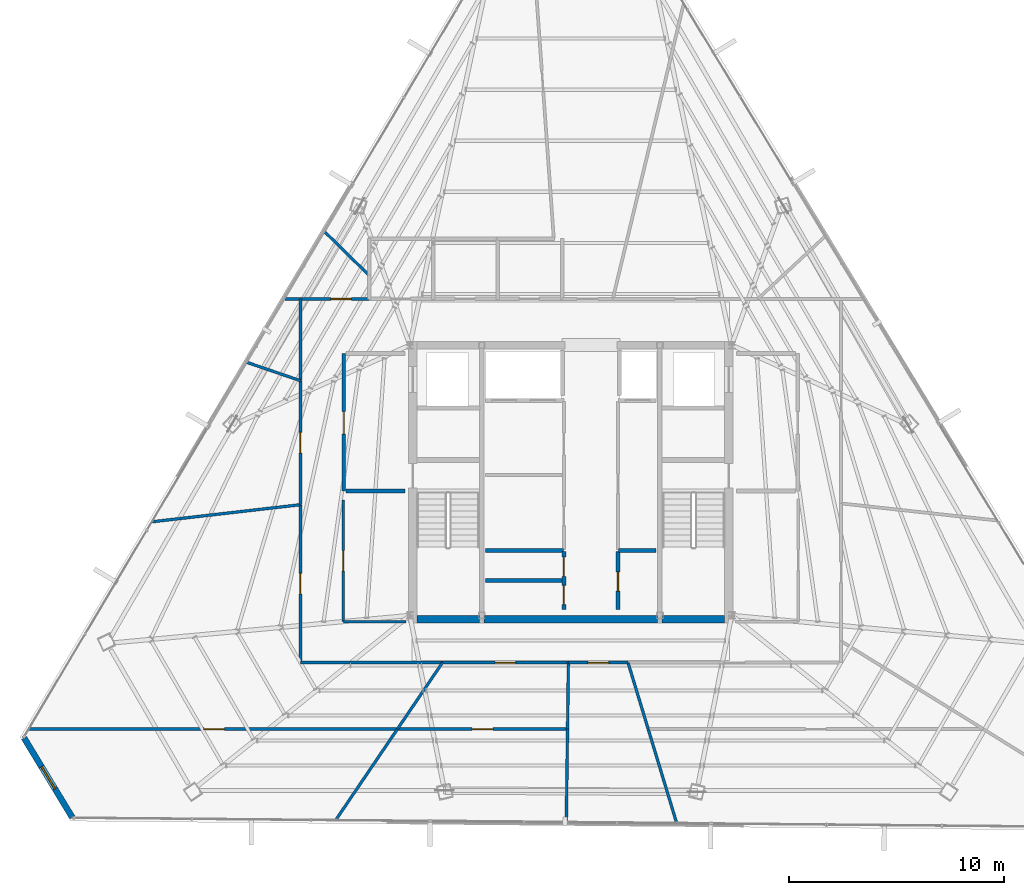
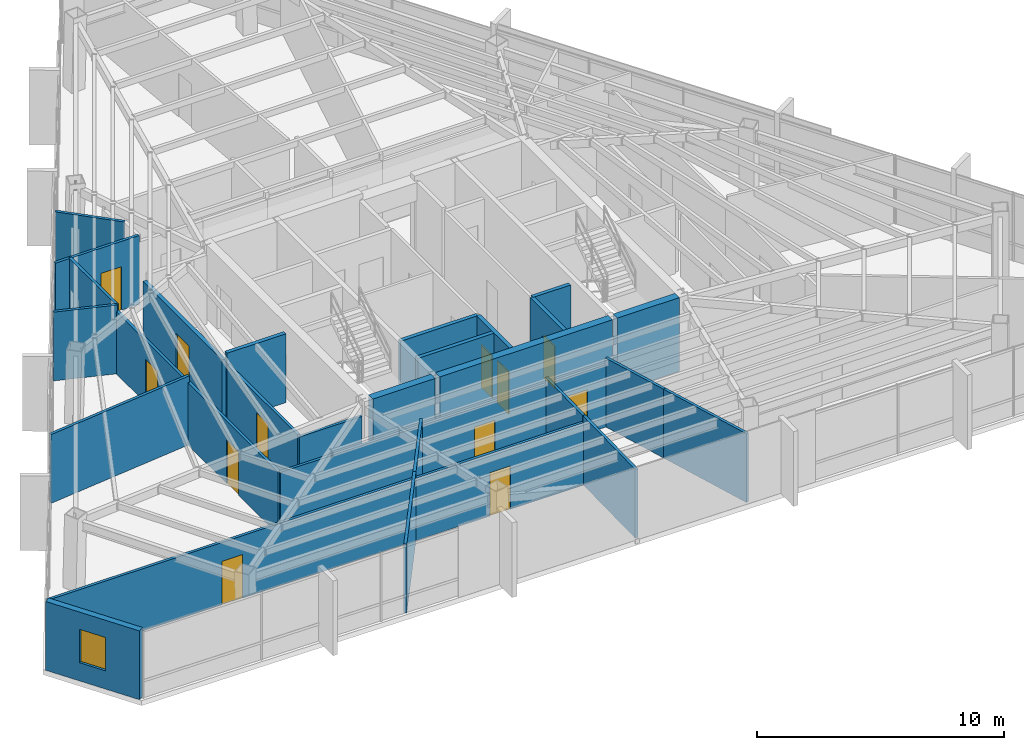
# One storey, part 42 of 47: 31 walls, 12 doors, 1 window, 13 openings.
"""IFC4 building model written with IfcOpenShell, lengths in metres."""

import ifcopenshell
import ifcopenshell.guid

model = None  # the IFC model being written
_history = None  # IfcOwnerHistory: only IFC2X3 demands one
_inside = {}  # id of a spatial element -> (the spatial element, [elements in it])
_under = {}  # id of a project, library or spatial element -> (it, [spatial elements below it])
_declared = {}  # id of a project -> (the project, [libraries it declares])
_typed = {}  # id of a type object -> (the type object, [elements of that type])
_made_of = {}  # id of a material, layer set ... -> (it, [elements and type objects made of it])


def new_model(schema):
    """Start an empty IFC model of exactly this schema.

    Asked for "IFC4X3", IfcOpenShell would pick the latest addendum, in which some entities
    have other attributes; the version numbers below select the first issue.
    IFC2X3 requires an IfcOwnerHistory on every rooted entity: one is made here for all.
    """
    global model, _history
    if schema == "IFC4X3":
        model = ifcopenshell.file(schema_version=(4, 3, 0, 0))
    else:
        model = ifcopenshell.file(schema=schema)
    _inside.clear()
    _under.clear()
    _declared.clear()
    _typed.clear()
    _made_of.clear()
    _history = None
    if model.schema == "IFC2X3":
        org = make("IfcOrganization", Name="unknown")
        user = make(
            "IfcPersonAndOrganization",
            ThePerson=make("IfcPerson", FamilyName="unknown"),
            TheOrganization=org,
        )
        app = make(
            "IfcApplication",
            ApplicationDeveloper=org,
            Version="unknown",
            ApplicationFullName="unknown",
            ApplicationIdentifier="unknown",
        )
        _history = make(
            "IfcOwnerHistory",
            OwningUser=user,
            OwningApplication=app,
            ChangeAction="ADDED",
            CreationDate=0,
        )
    return model


def make(cls, **values):
    """One entity of the class cls with the attributes given. An attribute that is None is left unset."""
    return model.create_entity(
        cls, **{name: value for name, value in values.items() if value is not None}
    )


def rooted(cls, **values):
    """An entity with a GlobalId (a new one), such as an element, a storey or a relation."""
    return make(cls, GlobalId=ifcopenshell.guid.new(), OwnerHistory=_history, **values)


def si_unit(unit_type, name, prefix=None):
    """IfcSIUnit, for example si_unit("LENGTHUNIT", "METRE", prefix="MILLI")."""
    return make("IfcSIUnit", UnitType=unit_type, Prefix=prefix, Name=name)


def assignment(units):
    """IfcUnitAssignment: the units of a project."""
    return None if units is None else make("IfcUnitAssignment", Units=units)


def point(xyz):
    """IfcCartesianPoint."""
    return None if xyz is None else make("IfcCartesianPoint", Coordinates=xyz)


def direction(xyz):
    """IfcDirection."""
    return None if xyz is None else make("IfcDirection", DirectionRatios=xyz)


def frame(location, z_axis=None, x_axis=None):
    """IfcAxis2Placement3D, a coordinate frame: its origin and axes. An axis left out is left unset."""
    return make(
        "IfcAxis2Placement3D",
        Location=point(location),
        Axis=direction(z_axis),
        RefDirection=direction(x_axis),
    )


def frame_2d(location, x_axis=None):
    """IfcAxis2Placement2D, a coordinate frame in the plane: its origin and x axis."""
    return make(
        "IfcAxis2Placement2D", Location=point(location), RefDirection=direction(x_axis)
    )


def origin():
    """The frame at (0, 0, 0) with its axes left unset."""
    return frame((0.0, 0.0, 0.0))


def place(relative_to, where):
    """IfcLocalPlacement: puts the frame where relative to a parent placement (None: the world)."""
    return make(
        "IfcLocalPlacement", PlacementRelTo=relative_to, RelativePlacement=where
    )


def context(
    kind, dimensions, precision=None, world=None, true_north=None, identifier=None
):
    """IfcGeometricRepresentationContext, for example the 3D "Model" context."""
    return make(
        "IfcGeometricRepresentationContext",
        ContextIdentifier=identifier,
        ContextType=kind,
        CoordinateSpaceDimension=dimensions,
        Precision=precision,
        WorldCoordinateSystem=world,
        TrueNorth=true_north,
    )


def subcontext(parent, identifier, kind, view, scale=None):
    """IfcGeometricRepresentationSubContext, for example "Body" below "Model"."""
    return make(
        "IfcGeometricRepresentationSubContext",
        ContextIdentifier=identifier,
        ContextType=kind,
        ParentContext=parent,
        TargetScale=scale,
        TargetView=view,
    )


def project(units=None, contexts=None):
    """IfcProject with its units and contexts."""
    return rooted(
        "IfcProject",
        Name="project",
        RepresentationContexts=contexts,
        UnitsInContext=assignment(units),
    )


def spatial(cls, under=None, at=None, **own):
    """A site, building, storey or space (cls), placed at a placement, below another one or the project."""
    s = rooted(cls, ObjectPlacement=at, **own)
    if under is not None:
        _under.setdefault(under.id(), (under, []))[1].append(s)
    return s


def profile(cls, at=None, kind="AREA", **sizes):
    """A parametric profile (cls). Its sizes go by their IFC names, for example OverallWidth=200.0."""
    return make(cls, ProfileType=kind, Position=at, **sizes)


def rectangle(**sizes):
    """IfcRectangleProfileDef."""
    return profile("IfcRectangleProfileDef", **sizes)


def extrude(swept, where, along, depth):
    """IfcExtrudedAreaSolid: the profile swept, set in the frame where, extruded along a direction by depth."""
    return make(
        "IfcExtrudedAreaSolid",
        SweptArea=swept,
        Position=where,
        ExtrudedDirection=direction(along),
        Depth=depth,
    )


def shape(context_of_items, identifier, shape_type, items):
    """IfcShapeRepresentation: the items that make up one representation, for example the "Body"."""
    return make(
        "IfcShapeRepresentation",
        ContextOfItems=context_of_items,
        RepresentationIdentifier=identifier,
        RepresentationType=shape_type,
        Items=items,
    )


def material(Name=None, Category=None):
    """IfcMaterial."""
    return make("IfcMaterial", Name=Name, Category=Category)


def layer(
    of_material, thickness, ventilated=None, Name=None, Category=None, Priority=None
):
    """IfcMaterialLayer: one layer of a wall or slab, of a material (None: an air gap)."""
    return make(
        "IfcMaterialLayer",
        Material=of_material,
        LayerThickness=thickness,
        IsVentilated=ventilated,
        Name=Name,
        Category=Category,
        Priority=Priority,
    )


def layer_set(layers, Name=None):
    """IfcMaterialLayerSet."""
    return make("IfcMaterialLayerSet", MaterialLayers=layers, LayerSetName=Name)


def made_of(thing, what):
    """Note that an element or type object is made of a material, layer set ...; save() writes the relation."""
    if what is not None:
        _made_of.setdefault(what.id(), (what, []))[1].append(thing)
    return thing


def type_object(cls, material=None, **own):
    """A type object (cls), such as IfcWallType, which elements share."""
    return made_of(rooted(cls, **own), material)


def element(
    cls,
    number,
    at=None,
    inside=None,
    cuts=None,
    type_object=None,
    material=None,
    context=None,
    identifier="Body",
    shape_type=None,
    held_by="IfcProductDefinitionShape",
    body=None,
    shapes=None,
    **own,
):
    """One element of the class cls, such as IfcWall. Its Tag is "e" and its number.

    at: its placement. inside: the storey or other place that contains it. cuts: it is an
    opening in that element (IfcRelVoidsElement). A single representation is given by context,
    identifier, shape_type and body (its items); several are given by shapes. held_by: the class
    of the entity that holds the representations. save() writes the other relations.
    """
    e = rooted(cls, Tag="e%d" % number, ObjectPlacement=at, **own)
    if body is not None:
        shapes = [shape(context, identifier, shape_type, body)]
    if shapes is not None:
        e.Representation = make(held_by, Representations=shapes)
    if inside is not None:
        _inside.setdefault(inside.id(), (inside, []))[1].append(e)
    if cuts is not None:
        rooted(
            "IfcRelVoidsElement", RelatingBuildingElement=cuts, RelatedOpeningElement=e
        )
    if type_object is not None:
        _typed.setdefault(type_object.id(), (type_object, []))[1].append(e)
    return made_of(e, material)


def fill(opening, filler):
    """IfcRelFillsElement: the door or window that sits in an opening."""
    return rooted(
        "IfcRelFillsElement",
        RelatingOpeningElement=opening,
        RelatedBuildingElement=filler,
    )


def aggregate(whole, parts):
    """IfcRelAggregates: a whole, such as a stair, and the parts it consists of."""
    return rooted("IfcRelAggregates", RelatingObject=whole, RelatedObjects=parts)


def save(model, path):
    """Write the relations noted so far, then the file.

    IfcRelAggregates (storeys below a building ...), IfcRelContainedInSpatialStructure (elements
    in a storey), IfcRelDefinesByType, IfcRelAssociatesMaterial and IfcRelDeclares: one each for
    every whole, place, type object, material and project.
    """
    for whole, parts in _under.values():
        aggregate(whole, parts)
    for where, things in _inside.values():
        rooted(
            "IfcRelContainedInSpatialStructure",
            RelatedElements=things,
            RelatingStructure=where,
        )
    for kind, things in _typed.values():
        rooted("IfcRelDefinesByType", RelatedObjects=things, RelatingType=kind)
    for what, things in _made_of.values():
        rooted("IfcRelAssociatesMaterial", RelatedObjects=things, RelatingMaterial=what)
    for by, libraries in _declared.values():
        rooted("IfcRelDeclares", RelatingContext=by, RelatedDefinitions=libraries)
    model.write(path)


model = new_model("IFC4")

# Units and contexts
model_context = context("Model", 3, precision=1e-05, world=origin(), true_north=direction((0.0, 1.0)))
body_context = subcontext(model_context, "Body", "Model", "MODEL_VIEW")
ifc_project = project(units=[si_unit("LENGTHUNIT", "METRE"), si_unit("AREAUNIT", "SQUARE_METRE"), si_unit("VOLUMEUNIT", "CUBIC_METRE"), si_unit("PLANEANGLEUNIT", "RADIAN"), si_unit("MASSUNIT", "GRAM", prefix="KILO")], contexts=[model_context])

# Site, building, storey
site_placement = place(None, origin())
site = spatial("IfcSite", under=ifc_project, at=site_placement, CompositionType="ELEMENT")
building_placement = place(site_placement, origin())
building = spatial("IfcBuilding", under=site, at=building_placement, Name="Caelisora Broadcast Tower", CompositionType="ELEMENT")
storey_placement = place(building_placement, frame((0.0, 0.0, 248.10009765625)))
storey = spatial("IfcBuildingStorey", under=building, at=storey_placement, Name="L65", CompositionType="ELEMENT", Elevation=248.10009765625)

# Walls
ifc_material_1 = material(Name="Concrete 40 MPa (AS 3600 N40)", Category="concrete")
ifc_layer_1 = layer(ifc_material_1, 0.35009765625, Name="Concrete 40 MPa (AS 3600 N40)")
ifc_layer_set_1 = layer_set([ifc_layer_1], Name="Concrete 40 MPa (AS 3600 N40)")
wall_type_1 = type_object("IfcWallType", Name="CW6", PredefinedType="SHEAR", material=ifc_layer_set_1)
wall_1_placement = place(storey_placement, frame((30.840087890625, 17.22509765625, 0.0), z_axis=(0.0, 0.0, 1.0), x_axis=(1.0, 0.0, 0.0)))
element("IfcWall", 1, at=wall_1_placement, inside=storey, type_object=wall_type_1, Name="L65 core shear wall CW6", PredefinedType="SHEAR", context=body_context, shape_type="SweptSolid", body=[
    extrude(rectangle(XDim=2.89990234375, YDim=0.35009765625, at=frame_2d((1.449951171875, 0.0))), origin(), (0.0, 0.0, 1.0), 3.64990234375),
])
wall_2_placement = place(storey_placement, frame((33.9599609375, 17.22509765625, 0.0), z_axis=(0.0, 0.0, 1.0), x_axis=(1.0, 0.0, 0.0)))
element("IfcWall", 2, at=wall_2_placement, inside=storey, type_object=wall_type_1, Name="L65 core shear wall CW6", PredefinedType="SHEAR", context=body_context, shape_type="SweptSolid", body=[
    extrude(rectangle(XDim=8.080078125, YDim=0.35009765625, at=frame_2d((4.0400390625, 0.0))), origin(), (0.0, 0.0, 1.0), 3.64990234375),
])
wall_3_placement = place(storey_placement, frame((42.260009765625, 17.22509765625, 0.0), z_axis=(0.0, 0.0, 1.0), x_axis=(1.0, 0.0, 0.0)))
element("IfcWall", 3, at=wall_3_placement, inside=storey, type_object=wall_type_1, Name="L65 core shear wall CW6", PredefinedType="SHEAR", context=body_context, shape_type="SweptSolid", body=[
    extrude(rectangle(XDim=2.89990234375, YDim=0.35009765625, at=frame_2d((1.449951171875, 0.0))), origin(), (0.0, 0.0, 1.0), 3.64990234375),
])

# Wall, opening, window
ifc_material_2 = material(Name="Insulated Terracotta Spandrel Wall System", Category="masonry")
ifc_layer_2 = layer(ifc_material_2, 0.280029296875, Name="Insulated Terracotta Spandrel Wall System")
ifc_layer_set_2 = layer_set([ifc_layer_2], Name="Insulated Terracotta Spandrel Wall System")
wall_type_2 = type_object("IfcWallType", Name="EW1", PredefinedType="STANDARD", material=ifc_layer_set_2)
wall_4_placement = place(storey_placement, frame((14.764404296875, 7.987548828125, 0.0), z_axis=(0.0, 0.0, 1.0), x_axis=(-0.518720491589, 0.854943887986, 0.0)))
wall_4 = element("IfcWall", 4, at=wall_4_placement, inside=storey, type_object=wall_type_2, Name="L65 exterior envelope wall EW1", PredefinedType="STANDARD", context=body_context, shape_type="SweptSolid", body=[
    extrude(rectangle(XDim=4.32763671875, YDim=0.280029296875, at=frame_2d((2.163818359375, 0.0))), origin(), (0.0, 0.0, 1.0), 3.39990234375),
])
opening_1_placement = place(wall_4_placement, frame((1.56005859375, 0.0, 0.89990234375)))
opening_1 = element("IfcOpeningElement", 5, at=opening_1_placement, cuts=wall_4, Name="Opening W03", PredefinedType="OPENING", context=body_context, shape_type="SweptSolid", body=[
    extrude(rectangle(XDim=1.199951171875, YDim=1.64990234375, at=frame_2d((0.60009765625, 0.824951171875))), frame((0.0, 0.152099609375, 0.0), z_axis=(0.0, -1.0, 0.0), x_axis=(1.0, 0.0, 0.0)), (0.0, 0.0, 1.0), 0.303955078125),
])
ifc_material_3 = material(Name="Double Glazed Corner Vision Window", Category="glass")
window_type = type_object("IfcWindowType", Name="W03", PartitioningType="SINGLE_PANEL", PredefinedType="WINDOW", material=ifc_material_3)
window_placement = place(opening_1_placement, origin())
window = element("IfcWindow", 6, at=window_placement, inside=storey, type_object=window_type, Name="L65 window W03 (L65-WN-CH4)", OverallHeight=1.64990234375, OverallWidth=1.199951171875, PartitioningType="SINGLE_PANEL", PredefinedType="WINDOW", context=body_context, shape_type="SweptSolid", body=[
    extrude(rectangle(XDim=1.199951171875, YDim=1.64990234375, at=frame_2d((0.60009765625, 0.824951171875))), frame((0.0, 0.030029296875, 0.0), z_axis=(0.0, -1.0, 0.0), x_axis=(1.0, 0.0, 0.0)), (0.0, 0.0, 1.0), 0.06005859375),
])
fill(opening_1, window)

# Wall, opening, door
ifc_material_4 = material(Name="Fire-Rated Gypsum Shaft and Compartment Wall", Category="gypsum")
ifc_layer_3 = layer(ifc_material_4, 0.179931640625, Name="Fire-Rated Gypsum Shaft and Compartment Wall")
ifc_layer_set_3 = layer_set([ifc_layer_3], Name="Fire-Rated Gypsum Shaft and Compartment Wall")
wall_type_3 = type_object("IfcWallType", Name="PW2", PredefinedType="PARTITIONING", material=ifc_layer_set_3)
wall_5_placement = place(storey_placement, frame((27.419921875, 23.199951171875, 0.0), z_axis=(0.0, 0.0, 1.0), x_axis=(0.0, 1.0, 0.0)))
wall_5 = element("IfcWall", 7, at=wall_5_placement, inside=storey, type_object=wall_type_3, Name="L65 fire compartment wall PW2", PredefinedType="PARTITIONING", context=body_context, shape_type="SweptSolid", body=[
    extrude(rectangle(XDim=6.400146484375, YDim=0.179931640625, at=frame_2d((3.2001953125, 0.0))), origin(), (0.0, 0.0, 1.0), 3.0849609375),
])
opening_2_placement = place(wall_5_placement, frame((2.64990234375, 0.0, 0.0)))
opening_2 = element("IfcOpeningElement", 8, at=opening_2_placement, cuts=wall_5, Name="Opening FD02", PredefinedType="OPENING", context=body_context, shape_type="SweptSolid", body=[
    extrude(rectangle(XDim=1.050048828125, YDim=2.14990234375, at=frame_2d((0.52490234375, 1.074951171875))), frame((0.0, 0.10205078125, 0.0), z_axis=(0.0, -1.0, 0.0), x_axis=(1.0, 0.0, 0.0)), (0.0, 0.0, 1.0), 0.203857421875),
])
ifc_material_5 = material(Name="Single-Leaf Steel Fire Lobby Door", Category="steel")
door_type_1 = type_object("IfcDoorType", Name="FD02", OperationType="NOTDEFINED", PredefinedType="DOOR", material=ifc_material_5)
door_1_placement = place(opening_2_placement, origin())
door_1 = element("IfcDoor", 9, at=door_1_placement, inside=storey, type_object=door_type_1, Name="L65 door FD02 (L65-DR-P01D1)", OperationType="SINGLE_SWING_RIGHT", OverallHeight=2.14990234375, OverallWidth=1.050048828125, PredefinedType="DOOR", context=body_context, shape_type="SweptSolid", body=[
    extrude(rectangle(XDim=1.050048828125, YDim=2.14990234375, at=frame_2d((0.52490234375, 1.074951171875))), frame((0.0, 0.02490234375, 0.0), z_axis=(0.0, -1.0, 0.0), x_axis=(1.0, 0.0, 0.0)), (0.0, 0.0, 1.0), 0.050048828125),
])
fill(opening_2, door_1)

# Walls
wall_6_placement = place(storey_placement, frame((27.52001953125, 23.199951171875, 0.0), z_axis=(0.0, 0.0, 1.0), x_axis=(1.0, 0.0, 0.0)))
element("IfcWall", 10, at=wall_6_placement, inside=storey, type_object=wall_type_3, Name="L65 fire compartment wall PW2", PredefinedType="PARTITIONING", context=body_context, shape_type="SweptSolid", body=[
    extrude(rectangle(XDim=2.760009765625, YDim=0.179931640625, at=frame_2d((1.3798828125, 0.0))), origin(), (0.0, 0.0, 1.0), 3.39990234375),
])
wall_7_placement = place(storey_placement, frame((34.02001953125, 20.419921875, 0.0), z_axis=(0.0, 0.0, 1.0), x_axis=(1.0, 0.0, 0.0)))
element("IfcWall", 11, at=wall_7_placement, inside=storey, type_object=wall_type_3, Name="L65 fire compartment wall PW2", PredefinedType="PARTITIONING", context=body_context, shape_type="SweptSolid", body=[
    extrude(rectangle(XDim=3.639892578125, YDim=0.179931640625, at=frame_2d((1.81982421875, 0.0))), origin(), (0.0, 0.0, 1.0), 3.39990234375),
])
wall_8_placement = place(storey_placement, frame((40.219970703125, 20.419921875, 0.0), z_axis=(0.0, 0.0, 1.0), x_axis=(1.0, 0.0, 0.0)))
element("IfcWall", 12, at=wall_8_placement, inside=storey, type_object=wall_type_3, Name="L65 fire compartment wall PW2", PredefinedType="PARTITIONING", context=body_context, shape_type="SweptSolid", body=[
    extrude(rectangle(XDim=1.760009765625, YDim=0.179931640625, at=frame_2d((0.8798828125, 0.0))), origin(), (0.0, 0.0, 1.0), 3.39990234375),
])
wall_9_placement = place(storey_placement, frame((34.02001953125, 19.02001953125, 0.0), z_axis=(0.0, 0.0, 1.0), x_axis=(1.0, 0.0, 0.0)))
element("IfcWall", 13, at=wall_9_placement, inside=storey, type_object=wall_type_3, Name="L65 fire compartment wall PW2", PredefinedType="PARTITIONING", context=body_context, shape_type="SweptSolid", body=[
    extrude(rectangle(XDim=3.580078125, YDim=0.179931640625, at=frame_2d((1.7900390625, 0.0))), origin(), (0.0, 0.0, 1.0), 3.39990234375),
])

# Wall, openings, doors
wall_10_placement = place(storey_placement, frame((37.679931640625, 17.679931640625, 0.0), z_axis=(0.0, 0.0, 1.0), x_axis=(0.0, 1.0, 0.0)))
wall_10 = element("IfcWall", 14, at=wall_10_placement, inside=storey, type_object=wall_type_3, Name="L65 fire compartment wall PW2", PredefinedType="PARTITIONING", context=body_context, shape_type="SweptSolid", body=[
    extrude(rectangle(XDim=2.699951171875, YDim=0.179931640625, at=frame_2d((1.35009765625, 0.0))), origin(), (0.0, 0.0, 1.0), 3.39990234375),
])
opening_3_placement = place(wall_10_placement, frame((0.219970703125, 0.0, 0.0)))
opening_3 = element("IfcOpeningElement", 15, at=opening_3_placement, cuts=wall_10, Name="Opening FD03", PredefinedType="OPENING", context=body_context, shape_type="SweptSolid", body=[
    extrude(rectangle(XDim=0.89990234375, YDim=2.10009765625, at=frame_2d((0.449951171875, 1.050048828125))), frame((0.0, 0.10205078125, 0.0), z_axis=(0.0, -1.0, 0.0), x_axis=(1.0, 0.0, 0.0)), (0.0, 0.0, 1.0), 0.203857421875),
])
opening_4_placement = place(wall_10_placement, frame((1.5400390625, 0.0, 0.0)))
opening_4 = element("IfcOpeningElement", 16, at=opening_4_placement, cuts=wall_10, Name="Opening FD03", PredefinedType="OPENING", context=body_context, shape_type="SweptSolid", body=[
    extrude(rectangle(XDim=0.89990234375, YDim=2.10009765625, at=frame_2d((0.449951171875, 1.050048828125))), frame((0.0, 0.10205078125, 0.0), z_axis=(0.0, -1.0, 0.0), x_axis=(1.0, 0.0, 0.0)), (0.0, 0.0, 1.0), 0.203857421875),
])
ifc_material_6 = material(Name="Single-Leaf Steel Riser Fire Access Door", Category="steel")
door_type_2 = type_object("IfcDoorType", Name="FD03", OperationType="NOTDEFINED", PredefinedType="DOOR", material=ifc_material_6)
door_2_placement = place(opening_3_placement, origin())
door_2 = element("IfcDoor", 17, at=door_2_placement, inside=storey, type_object=door_type_2, Name="L65 door FD03 (L65-DR-P15D1)", OperationType="SINGLE_SWING_LEFT", OverallHeight=2.10009765625, OverallWidth=0.89990234375, PredefinedType="DOOR", context=body_context, shape_type="SweptSolid", body=[
    extrude(rectangle(XDim=0.89990234375, YDim=2.10009765625, at=frame_2d((0.449951171875, 1.050048828125))), frame((0.0, 0.02490234375, 0.0), z_axis=(0.0, -1.0, 0.0), x_axis=(1.0, 0.0, 0.0)), (0.0, 0.0, 1.0), 0.050048828125),
])
fill(opening_3, door_2)
door_3_placement = place(opening_4_placement, origin())
door_3 = element("IfcDoor", 18, at=door_3_placement, inside=storey, type_object=door_type_2, Name="L65 door FD03 (L65-DR-P15D2)", OperationType="SINGLE_SWING_RIGHT", OverallHeight=2.10009765625, OverallWidth=0.89990234375, PredefinedType="DOOR", context=body_context, shape_type="SweptSolid", body=[
    extrude(rectangle(XDim=0.89990234375, YDim=2.10009765625, at=frame_2d((0.449951171875, 1.050048828125))), frame((0.0, 0.02490234375, 0.0), z_axis=(0.0, -1.0, 0.0), x_axis=(1.0, 0.0, 0.0)), (0.0, 0.0, 1.0), 0.050048828125),
])
fill(opening_4, door_3)

# Wall, opening, door
wall_11_placement = place(storey_placement, frame((40.199951171875, 17.679931640625, 0.0), z_axis=(0.0, 0.0, 1.0), x_axis=(0.0, 1.0, 0.0)))
wall_11 = element("IfcWall", 19, at=wall_11_placement, inside=storey, type_object=wall_type_3, Name="L65 fire compartment wall PW2", PredefinedType="PARTITIONING", context=body_context, shape_type="SweptSolid", body=[
    extrude(rectangle(XDim=2.699951171875, YDim=0.179931640625, at=frame_2d((1.35009765625, 0.0))), origin(), (0.0, 0.0, 1.0), 3.39990234375),
])
opening_5_placement = place(wall_11_placement, frame((0.85009765625, 0.0, 0.0)))
opening_5 = element("IfcOpeningElement", 20, at=opening_5_placement, cuts=wall_11, Name="Opening FD03", PredefinedType="OPENING", context=body_context, shape_type="SweptSolid", body=[
    extrude(rectangle(XDim=0.89990234375, YDim=2.10009765625, at=frame_2d((0.449951171875, 1.050048828125))), frame((0.0, 0.10205078125, 0.0), z_axis=(0.0, -1.0, 0.0), x_axis=(1.0, 0.0, 0.0)), (0.0, 0.0, 1.0), 0.203857421875),
])
door_4_placement = place(opening_5_placement, origin())
door_4 = element("IfcDoor", 21, at=door_4_placement, inside=storey, type_object=door_type_2, Name="L65 door FD03 (L65-DR-P16D1)", OperationType="SINGLE_SWING_LEFT", OverallHeight=2.10009765625, OverallWidth=0.89990234375, PredefinedType="DOOR", context=body_context, shape_type="SweptSolid", body=[
    extrude(rectangle(XDim=0.89990234375, YDim=2.10009765625, at=frame_2d((0.449951171875, 1.050048828125))), frame((0.0, 0.02490234375, 0.0), z_axis=(0.0, -1.0, 0.0), x_axis=(1.0, 0.0, 0.0)), (0.0, 0.0, 1.0), 0.050048828125),
])
fill(opening_5, door_4)

ifc_material_7 = material(Name="Acoustic Steel-Stud Plasterboard Partition", Category="gypsum")
ifc_layer_4 = layer(ifc_material_7, 0.1298828125, Name="Acoustic Steel-Stud Plasterboard Partition")
ifc_layer_set_4 = layer_set([ifc_layer_4], Name="Acoustic Steel-Stud Plasterboard Partition")
wall_type_4 = type_object("IfcWallType", Name="PW3", PredefinedType="PARTITIONING", material=ifc_layer_set_4)
wall_12_placement = place(storey_placement, frame((12.728515625, 12.10009765625, 0.0), z_axis=(0.0, 0.0, 1.0), x_axis=(1.0, 0.0, 0.0)))
wall_12 = element("IfcWall", 22, at=wall_12_placement, inside=storey, type_object=wall_type_4, Name="L65 internal partition PW3", PredefinedType="PARTITIONING", context=body_context, shape_type="SweptSolid", body=[
    extrude(rectangle(XDim=17.1865234375, YDim=0.1298828125, at=frame_2d((8.59326171875, 0.0))), origin(), (0.0, 0.0, 1.0), 3.0849609375),
])
opening_6_placement = place(wall_12_placement, frame((8.16796875, 0.0, 0.0)))
opening_6 = element("IfcOpeningElement", 23, at=opening_6_placement, cuts=wall_12, Name="Opening D01", PredefinedType="OPENING", context=body_context, shape_type="SweptSolid", body=[
    extrude(rectangle(XDim=0.9599609375, YDim=2.14990234375, at=frame_2d((0.47998046875, 1.074951171875))), frame((0.0, 0.076904296875, 0.0), z_axis=(0.0, -1.0, 0.0), x_axis=(1.0, 0.0, 0.0)), (0.0, 0.0, 1.0), 0.15380859375),
])
ifc_material_8 = material(Name="Solid-Core Timber Acoustic Office Door", Category="wood")
door_type_3 = type_object("IfcDoorType", Name="D01", OperationType="NOTDEFINED", PredefinedType="DOOR", material=ifc_material_8)
door_5_placement = place(opening_6_placement, origin())
door_5 = element("IfcDoor", 24, at=door_5_placement, inside=storey, type_object=door_type_3, Name="L65 door D01 (L65-DR-P28D1)", OperationType="SINGLE_SWING_LEFT", OverallHeight=2.14990234375, OverallWidth=0.9599609375, PredefinedType="DOOR", context=body_context, shape_type="SweptSolid", body=[
    extrude(rectangle(XDim=0.9599609375, YDim=2.14990234375, at=frame_2d((0.47998046875, 1.074951171875))), frame((0.0, 0.02490234375, 0.0), z_axis=(0.0, -1.0, 0.0), x_axis=(1.0, 0.0, 0.0)), (0.0, 0.0, 1.0), 0.050048828125),
])
fill(opening_6, door_5)

wall_13_placement = place(storey_placement, frame((29.925048828125, 12.10009765625, 0.0), z_axis=(0.0, 0.0, 1.0), x_axis=(1.0, 0.0, 0.0)))
wall_13 = element("IfcWall", 25, at=wall_13_placement, inside=storey, type_object=wall_type_4, Name="L65 internal partition PW3", PredefinedType="PARTITIONING", context=body_context, shape_type="SweptSolid", body=[
    extrude(rectangle(XDim=7.919921875, YDim=0.1298828125, at=frame_2d((3.9599609375, 0.0))), origin(), (0.0, 0.0, 1.0), 3.0849609375),
])
opening_7_placement = place(wall_13_placement, frame((3.47998046875, 0.0, 0.0)))
opening_7 = element("IfcOpeningElement", 26, at=opening_7_placement, cuts=wall_13, Name="Opening D01", PredefinedType="OPENING", context=body_context, shape_type="SweptSolid", body=[
    extrude(rectangle(XDim=0.9599609375, YDim=2.14990234375, at=frame_2d((0.47998046875, 1.074951171875))), frame((0.0, 0.076904296875, 0.0), z_axis=(0.0, -1.0, 0.0), x_axis=(1.0, 0.0, 0.0)), (0.0, 0.0, 1.0), 0.15380859375),
])
door_6_placement = place(opening_7_placement, origin())
door_6 = element("IfcDoor", 27, at=door_6_placement, inside=storey, type_object=door_type_3, Name="L65 door D01 (L65-DR-P36D1)", OperationType="SINGLE_SWING_RIGHT", OverallHeight=2.14990234375, OverallWidth=0.9599609375, PredefinedType="DOOR", context=body_context, shape_type="SweptSolid", body=[
    extrude(rectangle(XDim=0.9599609375, YDim=2.14990234375, at=frame_2d((0.47998046875, 1.074951171875))), frame((0.0, 0.02490234375, 0.0), z_axis=(0.0, -1.0, 0.0), x_axis=(1.0, 0.0, 0.0)), (0.0, 0.0, 1.0), 0.050048828125),
])
fill(opening_7, door_6)

wall_14_placement = place(storey_placement, frame((25.39990234375, 22.554931640625, 0.0), z_axis=(0.0, 0.0, 1.0), x_axis=(0.0, -1.0, 0.0)))
wall_14 = element("IfcWall", 28, at=wall_14_placement, inside=storey, type_object=wall_type_4, Name="L65 internal partition PW3", PredefinedType="PARTITIONING", context=body_context, shape_type="SweptSolid", body=[
    extrude(rectangle(XDim=7.349853515625, YDim=0.1298828125, at=frame_2d((3.6748046875, 0.0))), origin(), (0.0, 0.0, 1.0), 3.0849609375),
])
opening_8_placement = place(wall_14_placement, frame((3.195068359375, 0.0, 0.0)))
opening_8 = element("IfcOpeningElement", 29, at=opening_8_placement, cuts=wall_14, Name="Opening D01", PredefinedType="OPENING", context=body_context, shape_type="SweptSolid", body=[
    extrude(rectangle(XDim=0.9599609375, YDim=2.14990234375, at=frame_2d((0.47998046875, 1.074951171875))), frame((0.0, 0.076904296875, 0.0), z_axis=(0.0, -1.0, 0.0), x_axis=(1.0, 0.0, 0.0)), (0.0, 0.0, 1.0), 0.15380859375),
])
door_7_placement = place(opening_8_placement, origin())
door_7 = element("IfcDoor", 30, at=door_7_placement, inside=storey, type_object=door_type_3, Name="L65 door D01 (L65-DR-P39D1)", OperationType="SINGLE_SWING_LEFT", OverallHeight=2.14990234375, OverallWidth=0.9599609375, PredefinedType="DOOR", context=body_context, shape_type="SweptSolid", body=[
    extrude(rectangle(XDim=0.9599609375, YDim=2.14990234375, at=frame_2d((0.47998046875, 1.074951171875))), frame((0.0, 0.02490234375, 0.0), z_axis=(0.0, -1.0, 0.0), x_axis=(1.0, 0.0, 0.0)), (0.0, 0.0, 1.0), 0.050048828125),
])
fill(opening_8, door_7)

# Walls
wall_15_placement = place(storey_placement, frame((18.473876953125, 21.76318359375, 0.0), z_axis=(0.0, 0.0, 1.0), x_axis=(0.99345291011, 0.114242353768, 0.0)))
element("IfcWall", 31, at=wall_15_placement, inside=storey, type_object=wall_type_4, Name="L65 internal partition PW3", PredefinedType="PARTITIONING", context=body_context, shape_type="SweptSolid", body=[
    extrude(rectangle(XDim=6.966796875, YDim=0.1298828125, at=frame_2d((3.4833984375, 0.0))), origin(), (0.0, 0.0, 1.0), 3.39990234375),
])
wall_16_placement = place(storey_placement, frame((25.405029296875, 15.199951171875, 0.0), z_axis=(0.0, 0.0, 1.0), x_axis=(1.0, 0.0, 0.0)))
element("IfcWall", 32, at=wall_16_placement, inside=storey, type_object=wall_type_4, Name="L65 internal partition PW3", PredefinedType="PARTITIONING", context=body_context, shape_type="SweptSolid", body=[
    extrude(rectangle(XDim=6.60986328125, YDim=0.1298828125, at=frame_2d((3.304931640625, 0.0))), origin(), (0.0, 0.0, 1.0), 3.0849609375),
])

# Wall, opening, door
wall_17_placement = place(storey_placement, frame((32.02490234375, 15.199951171875, 0.0), z_axis=(0.0, 0.0, 1.0), x_axis=(1.0, 0.0, 0.0)))
wall_17 = element("IfcWall", 33, at=wall_17_placement, inside=storey, type_object=wall_type_4, Name="L65 internal partition PW3", PredefinedType="PARTITIONING", context=body_context, shape_type="SweptSolid", body=[
    extrude(rectangle(XDim=5.860107421875, YDim=0.1298828125, at=frame_2d((2.93017578125, 0.0))), origin(), (0.0, 0.0, 1.0), 3.0849609375),
])
opening_9_placement = place(wall_17_placement, frame((2.449951171875, 0.0, 0.0)))
opening_9 = element("IfcOpeningElement", 34, at=opening_9_placement, cuts=wall_17, Name="Opening D01", PredefinedType="OPENING", context=body_context, shape_type="SweptSolid", body=[
    extrude(rectangle(XDim=0.9599609375, YDim=2.14990234375, at=frame_2d((0.47998046875, 1.074951171875))), frame((0.0, 0.076904296875, 0.0), z_axis=(0.0, -1.0, 0.0), x_axis=(1.0, 0.0, 0.0)), (0.0, 0.0, 1.0), 0.15380859375),
])
door_8_placement = place(opening_9_placement, origin())
door_8 = element("IfcDoor", 35, at=door_8_placement, inside=storey, type_object=door_type_3, Name="L65 door D01 (L65-DR-P44D1)", OperationType="SINGLE_SWING_RIGHT", OverallHeight=2.14990234375, OverallWidth=0.9599609375, PredefinedType="DOOR", context=body_context, shape_type="SweptSolid", body=[
    extrude(rectangle(XDim=0.9599609375, YDim=2.14990234375, at=frame_2d((0.47998046875, 1.074951171875))), frame((0.0, 0.02490234375, 0.0), z_axis=(0.0, -1.0, 0.0), x_axis=(1.0, 0.0, 0.0)), (0.0, 0.0, 1.0), 0.050048828125),
])
fill(opening_9, door_8)

wall_18_placement = place(storey_placement, frame((25.39990234375, 22.56494140625, 0.0), z_axis=(0.0, 0.0, 1.0), x_axis=(0.0, 1.0, 0.0)))
wall_18 = element("IfcWall", 36, at=wall_18_placement, inside=storey, type_object=wall_type_4, Name="L65 internal partition PW3", PredefinedType="PARTITIONING", context=body_context, shape_type="SweptSolid", body=[
    extrude(rectangle(XDim=5.77001953125, YDim=0.1298828125, at=frame_2d((2.885009765625, 0.0))), origin(), (0.0, 0.0, 1.0), 3.0849609375),
])
opening_10_placement = place(wall_18_placement, frame((2.405029296875, 0.0, 0.0)))
opening_10 = element("IfcOpeningElement", 37, at=opening_10_placement, cuts=wall_18, Name="Opening D01", PredefinedType="OPENING", context=body_context, shape_type="SweptSolid", body=[
    extrude(rectangle(XDim=0.9599609375, YDim=2.14990234375, at=frame_2d((0.47998046875, 1.074951171875))), frame((0.0, 0.076904296875, 0.0), z_axis=(0.0, -1.0, 0.0), x_axis=(1.0, 0.0, 0.0)), (0.0, 0.0, 1.0), 0.15380859375),
])
door_9_placement = place(opening_10_placement, origin())
door_9 = element("IfcDoor", 38, at=door_9_placement, inside=storey, type_object=door_type_3, Name="L65 door D01 (L65-DR-P45D1)", OperationType="SINGLE_SWING_LEFT", OverallHeight=2.14990234375, OverallWidth=0.9599609375, PredefinedType="DOOR", context=body_context, shape_type="SweptSolid", body=[
    extrude(rectangle(XDim=0.9599609375, YDim=2.14990234375, at=frame_2d((0.47998046875, 1.074951171875))), frame((0.0, 0.02490234375, 0.0), z_axis=(0.0, -1.0, 0.0), x_axis=(1.0, 0.0, 0.0)), (0.0, 0.0, 1.0), 0.050048828125),
])
fill(opening_10, door_9)

wall_19_placement = place(storey_placement, frame((27.39990234375, 17.10498046875, 0.0), z_axis=(0.0, 0.0, 1.0), x_axis=(0.0, 1.0, 0.0)))
wall_19 = element("IfcWall", 39, at=wall_19_placement, inside=storey, type_object=wall_type_4, Name="L65 internal partition PW3", PredefinedType="PARTITIONING", context=body_context, shape_type="SweptSolid", body=[
    extrude(rectangle(XDim=5.679931640625, YDim=0.1298828125, at=frame_2d((2.83984375, 0.0))), origin(), (0.0, 0.0, 1.0), 3.0849609375),
])
opening_11_placement = place(wall_19_placement, frame((2.360107421875, 0.0, 0.0)))
opening_11 = element("IfcOpeningElement", 40, at=opening_11_placement, cuts=wall_19, Name="Opening D01", PredefinedType="OPENING", context=body_context, shape_type="SweptSolid", body=[
    extrude(rectangle(XDim=0.9599609375, YDim=2.14990234375, at=frame_2d((0.47998046875, 1.074951171875))), frame((0.0, 0.076904296875, 0.0), z_axis=(0.0, -1.0, 0.0), x_axis=(1.0, 0.0, 0.0)), (0.0, 0.0, 1.0), 0.15380859375),
])
door_10_placement = place(opening_11_placement, origin())
door_10 = element("IfcDoor", 41, at=door_10_placement, inside=storey, type_object=door_type_3, Name="L65 door D01 (L65-DR-P47D1)", OperationType="SINGLE_SWING_LEFT", OverallHeight=2.14990234375, OverallWidth=0.9599609375, PredefinedType="DOOR", context=body_context, shape_type="SweptSolid", body=[
    extrude(rectangle(XDim=0.9599609375, YDim=2.14990234375, at=frame_2d((0.47998046875, 1.074951171875))), frame((0.0, 0.02490234375, 0.0), z_axis=(0.0, -1.0, 0.0), x_axis=(1.0, 0.0, 0.0)), (0.0, 0.0, 1.0), 0.050048828125),
])
fill(opening_11, door_10)

# Walls
wall_20_placement = place(storey_placement, frame((27.035400390625, 7.84619140625, 0.0), z_axis=(0.0, 0.0, 1.0), x_axis=(0.561211858798, 0.827672187248, 0.0)))
element("IfcWall", 42, at=wall_20_placement, inside=storey, type_object=wall_type_4, Name="L65 internal partition PW3", PredefinedType="PARTITIONING", context=body_context, shape_type="SweptSolid", body=[
    extrude(rectangle(XDim=5.134521484375, YDim=0.1298828125, at=frame_2d((2.5673828125, 0.0))), origin(), (0.0, 0.0, 1.0), 3.39990234375),
])
wall_21_placement = place(storey_placement, frame((41.611083984375, 12.094970703125, 0.0), z_axis=(0.0, 0.0, 1.0), x_axis=(0.289952770636, -0.957040955655, 0.0)))
element("IfcWall", 43, at=wall_21_placement, inside=storey, type_object=wall_type_4, Name="L65 internal partition PW3", PredefinedType="PARTITIONING", context=body_context, shape_type="SweptSolid", body=[
    extrude(rectangle(XDim=4.58984375, YDim=0.1298828125, at=frame_2d((2.294921875, 0.0))), origin(), (0.0, 0.0, 1.0), 3.39990234375),
])
wall_22_placement = place(storey_placement, frame((37.791259765625, 7.7490234375, 0.0), z_axis=(0.0, 0.0, 1.0), x_axis=(0.013537324659, 0.999908366222, 0.0)))
element("IfcWall", 44, at=wall_22_placement, inside=storey, type_object=wall_type_4, Name="L65 internal partition PW3", PredefinedType="PARTITIONING", context=body_context, shape_type="SweptSolid", body=[
    extrude(rectangle(XDim=4.346435546875, YDim=0.1298828125, at=frame_2d((2.17333984375, 0.0))), origin(), (0.0, 0.0, 1.0), 3.39990234375),
])
wall_23_placement = place(storey_placement, frame((25.39990234375, 28.344970703125, 0.0), z_axis=(0.0, 0.0, 1.0), x_axis=(0.0, 1.0, 0.0)))
element("IfcWall", 45, at=wall_23_placement, inside=storey, type_object=wall_type_4, Name="L65 internal partition PW3", PredefinedType="PARTITIONING", context=body_context, shape_type="SweptSolid", body=[
    extrude(rectangle(XDim=3.800048828125, YDim=0.1298828125, at=frame_2d((1.89990234375, 0.0))), origin(), (0.0, 0.0, 1.0), 3.39990234375),
])
wall_24_placement = place(storey_placement, frame((29.923095703125, 12.10400390625, 0.0), z_axis=(0.0, 0.0, 1.0), x_axis=(0.560735386259, 0.827995064355, 0.0)))
element("IfcWall", 46, at=wall_24_placement, inside=storey, type_object=wall_type_4, Name="L65 internal partition PW3", PredefinedType="PARTITIONING", context=body_context, shape_type="SweptSolid", body=[
    extrude(rectangle(XDim=3.734375, YDim=0.1298828125, at=frame_2d((1.8671875, 0.0))), origin(), (0.0, 0.0, 1.0), 3.39990234375),
])
wall_25_placement = place(storey_placement, frame((40.6708984375, 15.195068359375, 0.0), z_axis=(0.0, 0.0, 1.0), x_axis=(0.290460589675, -0.956886955625, 0.0)))
element("IfcWall", 47, at=wall_25_placement, inside=storey, type_object=wall_type_4, Name="L65 internal partition PW3", PredefinedType="PARTITIONING", context=body_context, shape_type="SweptSolid", body=[
    extrude(rectangle(XDim=3.229248046875, YDim=0.1298828125, at=frame_2d((1.61474609375, 0.0))), origin(), (0.0, 0.0, 1.0), 3.39990234375),
])

# Wall, opening, door
wall_26_placement = place(storey_placement, frame((24.675537109375, 32.14990234375, 0.0), z_axis=(0.0, 0.0, 1.0), x_axis=(1.0, 0.0, 0.0)))
wall_26 = element("IfcWall", 48, at=wall_26_placement, inside=storey, type_object=wall_type_4, Name="L65 internal partition PW3", PredefinedType="PARTITIONING", context=body_context, shape_type="SweptSolid", body=[
    extrude(rectangle(XDim=3.91943359375, YDim=0.1298828125, at=frame_2d((1.959716796875, 0.0))), origin(), (0.0, 0.0, 1.0), 3.39990234375),
])
opening_12_placement = place(wall_26_placement, frame((2.139892578125, 0.0, 0.0)))
opening_12 = element("IfcOpeningElement", 49, at=opening_12_placement, cuts=wall_26, Name="Opening D01", PredefinedType="OPENING", context=body_context, shape_type="SweptSolid", body=[
    extrude(rectangle(XDim=0.9599609375, YDim=2.14990234375, at=frame_2d((0.47998046875, 1.074951171875))), frame((0.0, 0.076904296875, 0.0), z_axis=(0.0, -1.0, 0.0), x_axis=(1.0, 0.0, 0.0)), (0.0, 0.0, 1.0), 0.15380859375),
])
door_11_placement = place(opening_12_placement, origin())
door_11 = element("IfcDoor", 50, at=door_11_placement, inside=storey, type_object=door_type_3, Name="L65 door D01 (L65-DR-P57D1)", OperationType="SINGLE_SWING_RIGHT", OverallHeight=2.14990234375, OverallWidth=0.9599609375, PredefinedType="DOOR", context=body_context, shape_type="SweptSolid", body=[
    extrude(rectangle(XDim=0.9599609375, YDim=2.14990234375, at=frame_2d((0.47998046875, 1.074951171875))), frame((0.0, 0.02490234375, 0.0), z_axis=(0.0, -1.0, 0.0), x_axis=(1.0, 0.0, 0.0)), (0.0, 0.0, 1.0), 0.050048828125),
])
fill(opening_12, door_11)

# Walls
wall_27_placement = place(storey_placement, frame((37.85009765625, 12.10498046875, 0.0), z_axis=(0.0, 0.0, 1.0), x_axis=(0.012877181399, 0.999917085662, 0.0)))
element("IfcWall", 51, at=wall_27_placement, inside=storey, type_object=wall_type_4, Name="L65 internal partition PW3", PredefinedType="PARTITIONING", context=body_context, shape_type="SweptSolid", body=[
    extrude(rectangle(XDim=3.09033203125, YDim=0.1298828125, at=frame_2d((1.545166015625, 0.0))), origin(), (0.0, 0.0, 1.0), 3.39990234375),
])
wall_28_placement = place(storey_placement, frame((26.518310546875, 35.29296875, 0.0), z_axis=(0.0, 0.0, 1.0), x_axis=(0.713701169146, -0.700450313127, 0.0)))
element("IfcWall", 52, at=wall_28_placement, inside=storey, type_object=wall_type_4, Name="L65 internal partition PW3", PredefinedType="PARTITIONING", context=body_context, shape_type="SweptSolid", body=[
    extrude(rectangle(XDim=2.9111328125, YDim=0.1298828125, at=frame_2d((1.45556640625, 0.0))), origin(), (0.0, 0.0, 1.0), 3.39990234375),
])
wall_29_placement = place(storey_placement, frame((30.324951171875, 17.10009765625, 0.0), z_axis=(0.0, 0.0, 1.0), x_axis=(-1.0, 0.0, 0.0)))
element("IfcWall", 53, at=wall_29_placement, inside=storey, type_object=wall_type_4, Name="L65 internal partition PW3", PredefinedType="PARTITIONING", context=body_context, shape_type="SweptSolid", body=[
    extrude(rectangle(XDim=2.919921875, YDim=0.1298828125, at=frame_2d((1.4599609375, 0.0))), origin(), (0.0, 0.0, 1.0), 2.98486328125),
])

# Wall, opening, door
wall_30_placement = place(storey_placement, frame((37.89501953125, 15.199951171875, 0.0), z_axis=(0.0, 0.0, 1.0), x_axis=(1.0, 0.0, 0.0)))
wall_30 = element("IfcWall", 54, at=wall_30_placement, inside=storey, type_object=wall_type_4, Name="L65 internal partition PW3", PredefinedType="PARTITIONING", context=body_context, shape_type="SweptSolid", body=[
    extrude(rectangle(XDim=2.77001953125, YDim=0.1298828125, at=frame_2d((1.385009765625, 0.0))), origin(), (0.0, 0.0, 1.0), 3.0849609375),
])
opening_13_placement = place(wall_30_placement, frame((0.905029296875, 0.0, 0.0)))
opening_13 = element("IfcOpeningElement", 55, at=opening_13_placement, cuts=wall_30, Name="Opening D01", PredefinedType="OPENING", context=body_context, shape_type="SweptSolid", body=[
    extrude(rectangle(XDim=0.9599609375, YDim=2.14990234375, at=frame_2d((0.47998046875, 1.074951171875))), frame((0.0, 0.076904296875, 0.0), z_axis=(0.0, -1.0, 0.0), x_axis=(1.0, 0.0, 0.0)), (0.0, 0.0, 1.0), 0.15380859375),
])
door_12_placement = place(opening_13_placement, origin())
door_12 = element("IfcDoor", 56, at=door_12_placement, inside=storey, type_object=door_type_3, Name="L65 door D01 (L65-DR-P63D1)", OperationType="SINGLE_SWING_LEFT", OverallHeight=2.14990234375, OverallWidth=0.9599609375, PredefinedType="DOOR", context=body_context, shape_type="SweptSolid", body=[
    extrude(rectangle(XDim=0.9599609375, YDim=2.14990234375, at=frame_2d((0.47998046875, 1.074951171875))), frame((0.0, 0.02490234375, 0.0), z_axis=(0.0, -1.0, 0.0), x_axis=(1.0, 0.0, 0.0)), (0.0, 0.0, 1.0), 0.050048828125),
])
fill(opening_13, door_12)

# Wall
wall_31_placement = place(storey_placement, frame((22.894287109375, 29.19775390625, 0.0), z_axis=(0.0, 0.0, 1.0), x_axis=(0.946140904487, -0.323755137189, 0.0)))
element("IfcWall", 57, at=wall_31_placement, inside=storey, type_object=wall_type_4, Name="L65 internal partition PW3", PredefinedType="PARTITIONING", context=body_context, shape_type="SweptSolid", body=[
    extrude(rectangle(XDim=2.64306640625, YDim=0.1298828125, at=frame_2d((1.321533203125, 0.0))), origin(), (0.0, 0.0, 1.0), 3.39990234375),
])

save(model, "model.ifc")
